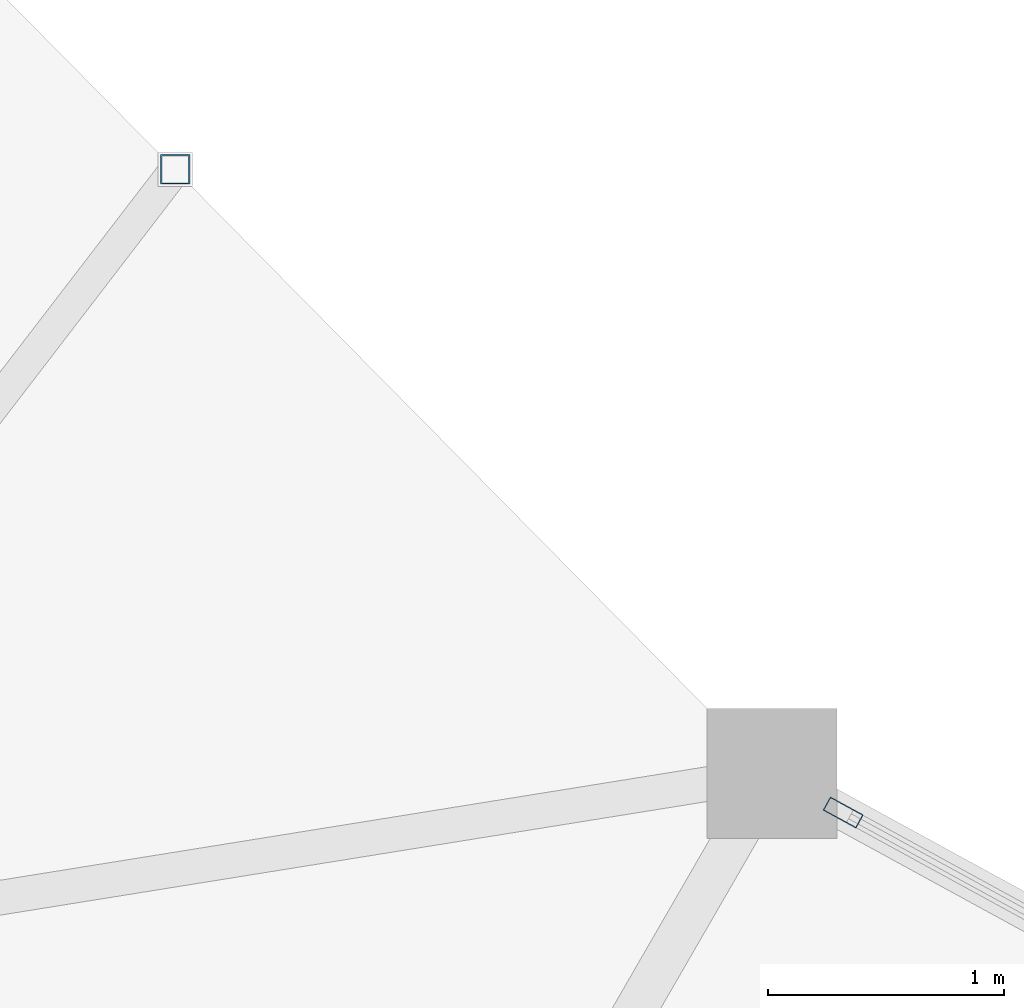
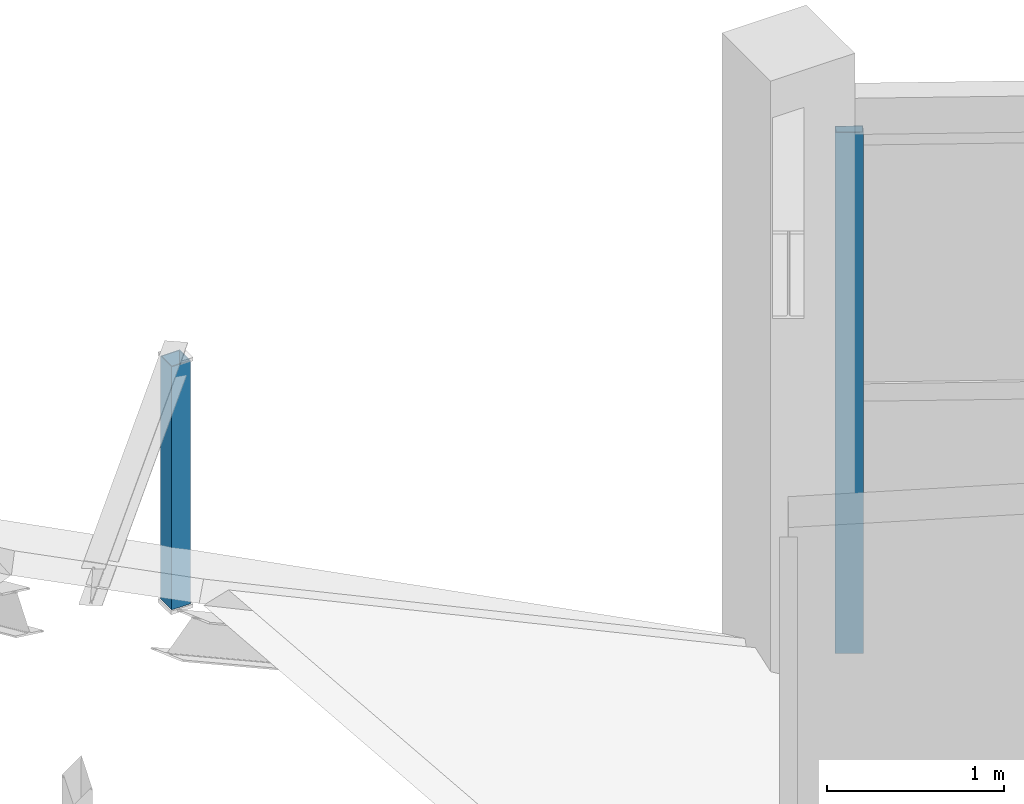
# One storey, part 22 of 106: 2 members, 1 element without a shape of its own.
"""IFC4 building model written with IfcOpenShell, lengths in metres."""

from ifc_helpers import new_model, si_unit, direction, frame, origin, origin_2d, place, context, subcontext, project, spatial, hollow_rectangle, extrude, material, material_profile, profile_set, type_object, element, aggregate, save


model = new_model("IFC4")

# Units and contexts
model_context = context("Model", 3, precision=1e-05, world=origin(), true_north=direction((0.0, 1.0)))
body_context = subcontext(model_context, "Body", "Model", "MODEL_VIEW")
ifc_project = project(units=[si_unit("LENGTHUNIT", "METRE"), si_unit("AREAUNIT", "SQUARE_METRE"), si_unit("VOLUMEUNIT", "CUBIC_METRE"), si_unit("PLANEANGLEUNIT", "RADIAN"), si_unit("MASSUNIT", "GRAM", prefix="KILO")], contexts=[model_context])

# Site, building, storey
site_placement = place(None, origin())
site = spatial("IfcSite", under=ifc_project, at=site_placement, CompositionType="ELEMENT")
building_placement = place(site_placement, origin())
building = spatial("IfcBuilding", under=site, at=building_placement, Name="Karori Crest Natural Sciences Institute", CompositionType="ELEMENT")
storey_placement = place(building_placement, frame((0.0, 0.0, 25.89990234375)))
storey = spatial("IfcBuildingStorey", under=building, at=storey_placement, Name="L06", CompositionType="ELEMENT", Elevation=25.89990234375)

# Curtain wall, member
ifc_material_1 = material(Name="Anodised architectural aluminium 6063-T6", Category="aluminium")
curtain_wall_type = type_object("IfcCurtainWallType", Name="CWT-12", PredefinedType="NOTDEFINED", material=ifc_material_1)
curtain_wall_placement = place(storey_placement, origin())
curtain_wall = element("IfcCurtainWall", 1, at=curtain_wall_placement, inside=storey, type_object=curtain_wall_type, Name="Curtain wall CW-0209", PredefinedType="NOTDEFINED")
ifc_material_profile_1 = material_profile(ifc_material_1, hollow_rectangle(XDim=0.06494140625, YDim=0.159912109375, WallThickness=0.00390625, at=origin_2d()), Name="CWM160x65x4")
ifc_profile_set_1 = profile_set([ifc_material_profile_1], Name="Anodised architectural aluminium 6063-T6")
member_type_1 = type_object("IfcMemberType", Name="CWM-01", PredefinedType="MULLION", material=ifc_profile_set_1)
member_1_placement = place(storey_placement, frame((54.501708984375, 21.84912109375, 0.0), z_axis=(0.0, 0.0, 1.0), x_axis=(0.479631017431, 0.877470277057, 0.0)))
member_1 = element("IfcMember", 2, at=member_1_placement, type_object=member_type_1, Name="CW-0209 mullion 1", PredefinedType="MULLION", context=body_context, shape_type="SweptSolid", body=[
    extrude(hollow_rectangle(XDim=0.06494140625, YDim=0.159912109375, WallThickness=0.00390625, at=origin_2d()), origin(), (0.0, 0.0, 1.0), 3.60009765625),
])
aggregate(curtain_wall, [member_1])

# Member
ifc_material_2 = material(Name="Hollow structural steel AS/NZS 1163 Grade C350", Category="steel")
ifc_material_profile_2 = material_profile(ifc_material_2, hollow_rectangle(XDim=0.125, YDim=0.125, WallThickness=0.006103515625, at=origin_2d()), Name="SHS125x125x6")
ifc_profile_set_2 = profile_set([ifc_material_profile_2], Name="Hollow structural steel AS/NZS 1163 Grade C350")
member_type_2 = type_object("IfcMemberType", Name="MT-20", PredefinedType="STRUT", material=ifc_profile_set_2)
member_2_placement = place(storey_placement, frame((51.67333984375, 24.572509765625, -0.322998046875), z_axis=(0.0, 0.0, 1.0), x_axis=(1.0, 0.0, 0.0)))
element("IfcMember", 3, at=member_2_placement, inside=storey, type_object=member_type_2, Name="Member M-0135", PredefinedType="STRUT", context=body_context, shape_type="SweptSolid", body=[
    extrude(hollow_rectangle(XDim=0.125, YDim=0.125, WallThickness=0.006103515625, at=origin_2d()), origin(), (0.0, 0.0, 1.0), 1.67919921875),
])

save(model, "model.ifc")
